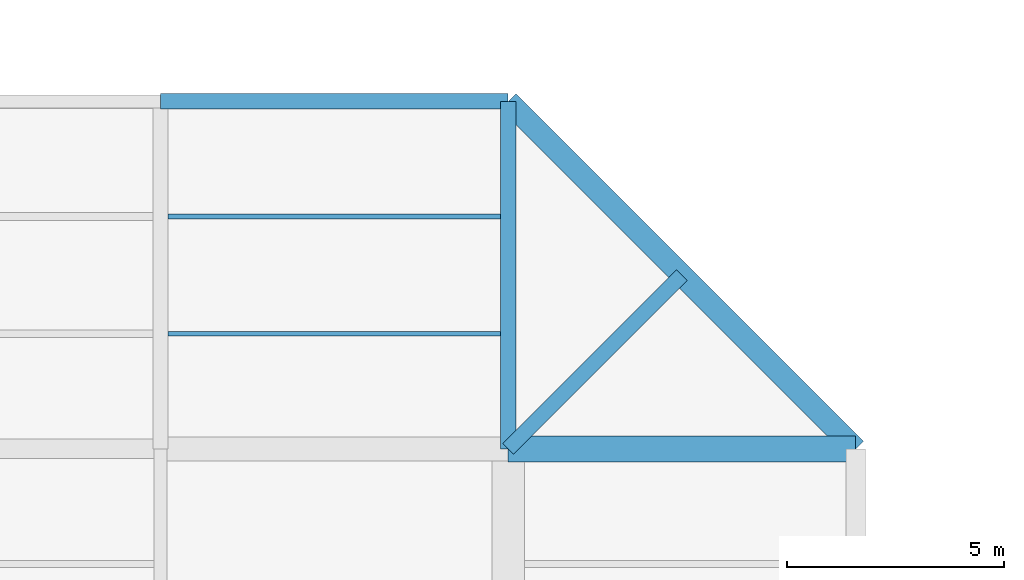
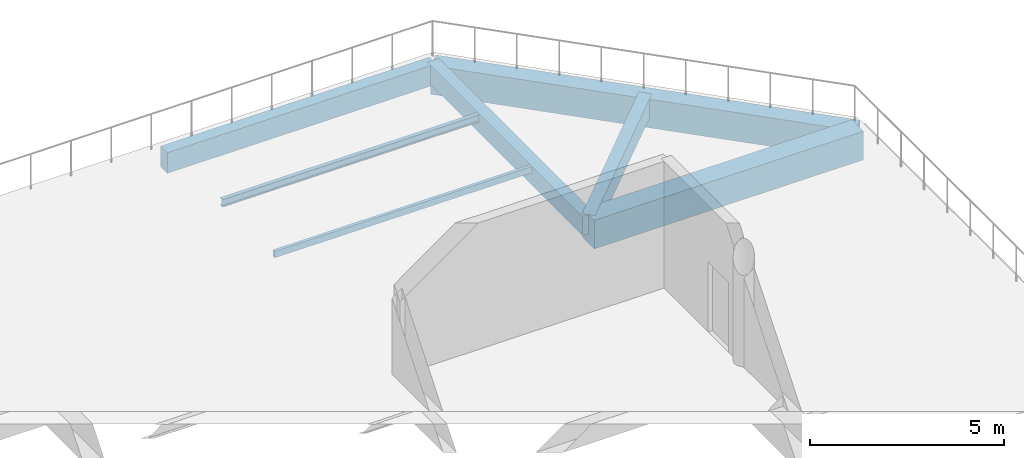
# One storey, part 49 of 84: 7 beams.
"""IFC4 building model written with IfcOpenShell, lengths in metres."""

from ifc_helpers import new_model, si_unit, direction, frame, origin, origin_2d, place, context, subcontext, project, spatial, rectangle, hollow_rectangle, i_section, extrude, material, material_profile, profile_set, type_object, element, save


model = new_model("IFC4")

# Units and contexts
model_context = context("Model", 3, precision=1e-05, world=origin(), true_north=direction((0.0, 1.0)))
body_context = subcontext(model_context, "Body", "Model", "MODEL_VIEW")
ifc_project = project(units=[si_unit("LENGTHUNIT", "METRE"), si_unit("AREAUNIT", "SQUARE_METRE"), si_unit("VOLUMEUNIT", "CUBIC_METRE"), si_unit("PLANEANGLEUNIT", "RADIAN"), si_unit("MASSUNIT", "GRAM", prefix="KILO")], contexts=[model_context])

# Site, building, storey
site_placement = place(None, origin())
site = spatial("IfcSite", under=ifc_project, at=site_placement, CompositionType="ELEMENT")
building_placement = place(site_placement, origin())
building = spatial("IfcBuilding", under=site, at=building_placement, Name="Tenunan Teduh Sports Hall", CompositionType="ELEMENT")
storey_placement = place(building_placement, frame((0.0, 0.0, 10.800048828125)))
storey = spatial("IfcBuildingStorey", under=building, at=storey_placement, Name="L02", CompositionType="ELEMENT", Elevation=10.800048828125)

# Beams
ifc_material_1 = material(Name="Concrete C40/50", Category="concrete")
ifc_material_profile_1 = material_profile(ifc_material_1, rectangle(XDim=0.35009765625, YDim=0.60009765625, at=origin_2d()), Name="RCB 350x600")
ifc_profile_set_1 = profile_set([ifc_material_profile_1], Name="Concrete C40/50")
beam_type_1 = type_object("IfcBeamType", Name="BM-RC-350x600", PredefinedType="BEAM", material=ifc_profile_set_1)
beam_1_placement = place(storey_placement, frame((154.0, 110.0, -0.56005859375), z_axis=(0.0, 1.0, 0.0), x_axis=(-1.0, 0.0, 0.0)))
element("IfcBeam", 1, at=beam_1_placement, inside=storey, type_object=beam_type_1, Name="BM-B-04-L02-1668", PredefinedType="BEAM", context=body_context, shape_type="SweptSolid", body=[
    extrude(rectangle(XDim=0.35009765625, YDim=0.60009765625, at=origin_2d()), origin(), (0.0, 0.0, 1.0), 8.0),
])
beam_2_placement = place(storey_placement, frame((154.0, 110.0, -0.56005859375), z_axis=(0.707106781187, 0.707106781187, 0.0), x_axis=(-0.707106781187, 0.707106781187, 0.0)))
element("IfcBeam", 2, at=beam_2_placement, inside=storey, type_object=beam_type_1, Name="BM-B-04-L02-2236", PredefinedType="BEAM", context=body_context, shape_type="SweptSolid", body=[
    extrude(rectangle(XDim=0.35009765625, YDim=0.60009765625, at=origin_2d()), origin(), (0.0, 0.0, 1.0), 5.65673828125),
])
ifc_material_2 = material(Name="Concrete C40/50", Category="concrete")
ifc_material_profile_2 = material_profile(ifc_material_2, rectangle(XDim=0.35009765625, YDim=0.64990234375, at=origin_2d()), Name="RCB 350x650")
ifc_profile_set_2 = profile_set([ifc_material_profile_2], Name="Concrete C40/50")
beam_type_2 = type_object("IfcBeamType", Name="BM-RC-350x650", PredefinedType="BEAM", material=ifc_profile_set_2)
beam_3_placement = place(storey_placement, frame((146.0, 118.0, -0.5849609375), z_axis=(1.0, 0.0, 0.0), x_axis=(0.0, 1.0, 0.0)))
element("IfcBeam", 3, at=beam_3_placement, inside=storey, type_object=beam_type_2, Name="BM-B-05-L02-1570", PredefinedType="BEAM", context=body_context, shape_type="SweptSolid", body=[
    extrude(rectangle(XDim=0.35009765625, YDim=0.64990234375, at=origin_2d()), origin(), (0.0, 0.0, 1.0), 8.0),
])
ifc_material_3 = material(Name="Concrete C40/50", Category="concrete")
ifc_material_profile_3 = material_profile(ifc_material_3, rectangle(XDim=0.5, YDim=0.89990234375, at=origin_2d()), Name="RCB 500x900")
ifc_profile_set_3 = profile_set([ifc_material_profile_3], Name="Concrete C40/50")
beam_type_3 = type_object("IfcBeamType", Name="BM-RC-500x900", PredefinedType="BEAM", material=ifc_profile_set_3)
beam_4_placement = place(storey_placement, frame((154.0, 118.0, -0.7099609375), z_axis=(0.707106781187, -0.707106781187, 0.0), x_axis=(0.707106781187, 0.707106781187, 0.0)))
element("IfcBeam", 4, at=beam_4_placement, inside=storey, type_object=beam_type_3, Name="BM-B-15-L02-0601", PredefinedType="BEAM", context=body_context, shape_type="SweptSolid", body=[
    extrude(rectangle(XDim=0.5, YDim=0.89990234375, at=origin_2d()), origin(), (0.0, 0.0, 1.0), 11.313720703125),
])
ifc_material_4 = material(Name="Concrete C40/50", Category="concrete")
ifc_material_profile_4 = material_profile(ifc_material_4, rectangle(XDim=0.60009765625, YDim=0.89990234375, at=origin_2d()), Name="RCB 600x900")
ifc_profile_set_4 = profile_set([ifc_material_profile_4], Name="Concrete C40/50")
beam_type_4 = type_object("IfcBeamType", Name="BM-RC-600x900", PredefinedType="BEAM", material=ifc_profile_set_4)
beam_5_placement = place(storey_placement, frame((154.0, 110.0, -0.7099609375), z_axis=(1.0, 0.0, 0.0), x_axis=(0.0, 1.0, 0.0)))
element("IfcBeam", 5, at=beam_5_placement, inside=storey, type_object=beam_type_4, Name="BM-B-17-L02-1557", PredefinedType="BEAM", context=body_context, shape_type="SweptSolid", body=[
    extrude(rectangle(XDim=0.60009765625, YDim=0.89990234375, at=origin_2d()), origin(), (0.0, 0.0, 1.0), 8.0),
])
ifc_material_5 = material(Name="Steel S355", Category="steel")
ifc_material_profile_5 = material_profile(ifc_material_5, i_section(OverallWidth=0.1201171875, OverallDepth=0.239990234375, WebThickness=0.006103515625, FlangeThickness=0.009765625, FilletRadius=0.014892578125, at=origin_2d()), Name="IPE 240")
ifc_profile_set_5 = profile_set([ifc_material_profile_5], Name="Steel S355")
beam_type_5 = type_object("IfcBeamType", Name="JST-IPE240", PredefinedType="JOIST", material=ifc_profile_set_5)
beam_6_placement = place(storey_placement, frame((146.175048828125, 115.35009765625, -0.380126953125), z_axis=(1.0, 0.0, 0.0), x_axis=(0.0, 1.0, 0.0)))
element("IfcBeam", 6, at=beam_6_placement, inside=storey, type_object=beam_type_5, Name="BM-J-02-L02-1803", PredefinedType="JOIST", context=body_context, shape_type="SweptSolid", body=[
    extrude(i_section(OverallWidth=0.1201171875, OverallDepth=0.239990234375, WebThickness=0.006103515625, FlangeThickness=0.009765625, FilletRadius=0.014892578125, at=origin_2d()), origin(), (0.0, 0.0, 1.0), 7.64990234375),
])
ifc_material_6 = material(Name="Steel S355", Category="steel")
ifc_material_profile_6 = material_profile(ifc_material_6, hollow_rectangle(XDim=0.10009765625, YDim=0.199951171875, WallThickness=0.008056640625, at=origin_2d()), Name="RHS 200x100x8.0")
ifc_profile_set_6 = profile_set([ifc_material_profile_6], Name="Steel S355")
beam_type_6 = type_object("IfcBeamType", Name="RBM-RHS200", PredefinedType="JOIST", material=ifc_profile_set_6)
beam_7_placement = place(storey_placement, frame((146.175048828125, 112.64990234375, -0.360107421875), z_axis=(1.0, 0.0, 0.0), x_axis=(0.0, 1.0, 0.0)))
element("IfcBeam", 7, at=beam_7_placement, inside=storey, type_object=beam_type_6, Name="Perimeter Ring Beam BM-RB-05-L02-1802", PredefinedType="JOIST", context=body_context, shape_type="SweptSolid", body=[
    extrude(hollow_rectangle(XDim=0.10009765625, YDim=0.199951171875, WallThickness=0.008056640625, at=origin_2d()), origin(), (0.0, 0.0, 1.0), 7.64990234375),
])

save(model, "model.ifc")
